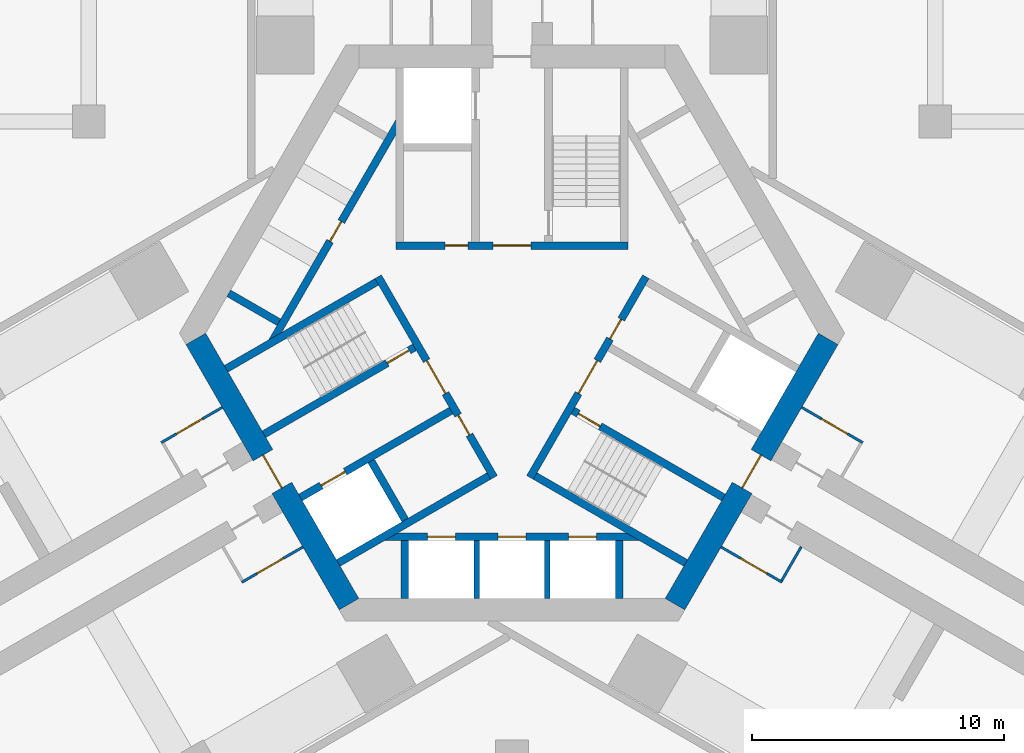
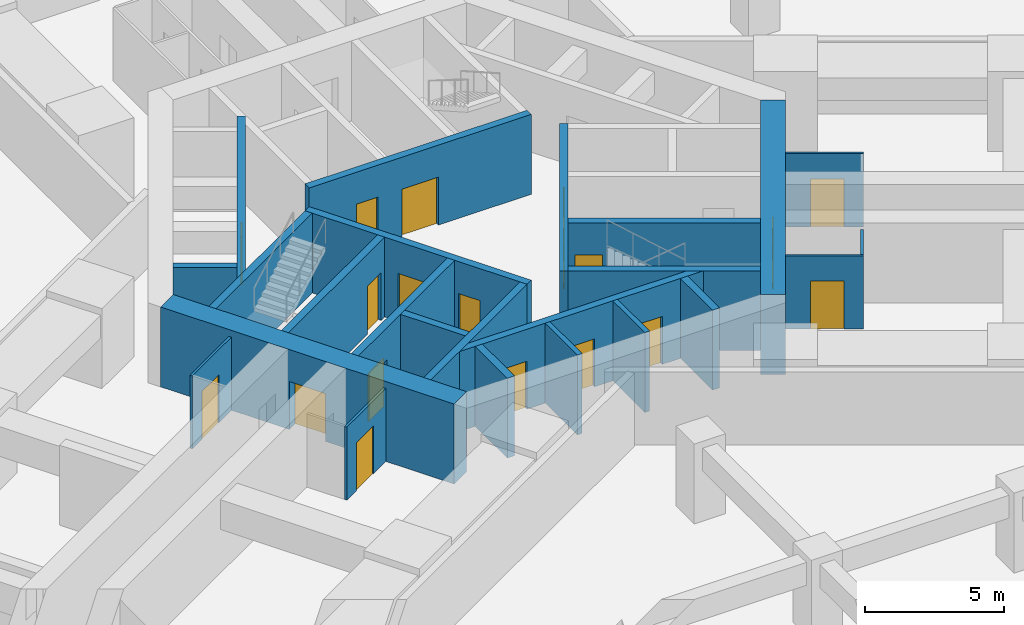
# One storey, part 6 of 11: 24 walls, 19 doors, 19 openings.
"""IFC4 building model written with IfcOpenShell, lengths in metres."""

from ifc_helpers import new_model, si_unit, direction, frame, frame_2d, origin, place, context, subcontext, project, spatial, rectangle, extrude, material, layer, layer_set, type_object, element, fill, save


model = new_model("IFC4")

# Units and contexts
model_context = context("Model", 3, precision=1e-05, world=origin(), true_north=direction((0.0, 1.0)))
body_context = subcontext(model_context, "Body", "Model", "MODEL_VIEW")
ifc_project = project(units=[si_unit("LENGTHUNIT", "METRE"), si_unit("AREAUNIT", "SQUARE_METRE"), si_unit("VOLUMEUNIT", "CUBIC_METRE"), si_unit("PLANEANGLEUNIT", "RADIAN"), si_unit("MASSUNIT", "GRAM", prefix="KILO")], contexts=[model_context])

# Site, building, storey
site_placement = place(None, origin())
site = spatial("IfcSite", under=ifc_project, at=site_placement, CompositionType="ELEMENT")
building_placement = place(site_placement, origin())
building = spatial("IfcBuilding", under=site, at=building_placement, Name="Impinga Residences", CompositionType="ELEMENT")
storey_placement = place(building_placement, frame((0.0, 0.0, -7.0)))
storey = spatial("IfcBuildingStorey", under=building, at=storey_placement, Name="B2", CompositionType="ELEMENT", Elevation=-7.0)

# Wall, opening, door
ifc_material_1 = material(Name="Concrete blockwork", Category="masonry")
ifc_layer_1 = layer(ifc_material_1, 0.10009765625)
ifc_layer_set_1 = layer_set([ifc_layer_1], Name="CP1 core room partition, blockwork 100")
wall_type_1 = type_object("IfcWallType", Name="CP1 core room partition, blockwork 100", PredefinedType="PARTITIONING", material=ifc_layer_set_1)
wall_1_placement = place(storey_placement, frame((-8.300048828125, -8.487060546875, 0.0), z_axis=(0.0, 0.0, 1.0), x_axis=(-0.866034573852, -0.49998411664, 0.0)))
wall_1 = element("IfcWall", 1, at=wall_1_placement, inside=storey, type_object=wall_type_1, Name="Core room partition, blockwork B2-WA1:L1", PredefinedType="PARTITIONING", context=body_context, shape_type="SweptSolid", body=[
    extrude(rectangle(XDim=2.7998046875, YDim=0.10009765625, at=frame_2d((1.39990234375, 0.0))), origin(), (0.0, 0.0, 1.0), 3.199951171875),
])
opening_1_placement = place(wall_1_placement, frame((0.89990234375, 0.0, 0.0)))
opening_1 = element("IfcOpeningElement", 2, at=opening_1_placement, cuts=wall_1, Name="Opening D3", PredefinedType="OPENING", context=body_context, shape_type="SweptSolid", body=[
    extrude(rectangle(XDim=1.199951171875, YDim=2.10009765625, at=frame_2d((0.60009765625, 1.050048828125))), frame((0.0, 0.06005859375, 0.0), z_axis=(0.0, -1.0, 0.0), x_axis=(1.0, 0.0, 0.0)), (0.0, 0.0, 1.0), 0.1201171875),
])
ifc_material_2 = material(Name="Timber door set", Category="wood")
door_type_1 = type_object("IfcDoorType", Name="D3 room door, leaf and a half 1200x2100", OperationType="DOUBLE_SWING_LEFT", PredefinedType="DOOR", material=ifc_material_2)
door_1_placement = place(opening_1_placement, origin())
door_1 = element("IfcDoor", 3, at=door_1_placement, inside=storey, type_object=door_type_1, Name="Storage cages door B2-WA1", OperationType="DOUBLE_SWING_LEFT", OverallHeight=2.10009765625, OverallWidth=1.199951171875, PredefinedType="DOOR", context=body_context, shape_type="SweptSolid", body=[
    extrude(rectangle(XDim=1.199951171875, YDim=2.10009765625, at=frame_2d((0.60009765625, 1.050048828125))), frame((0.0, 0.02490234375, 0.0), z_axis=(0.0, -1.0, 0.0), x_axis=(1.0, 0.0, 0.0)), (0.0, 0.0, 1.0), 0.050048828125),
])
fill(opening_1, door_1)

wall_2_placement = place(storey_placement, frame((-11.5, -2.944580078125, 0.0), z_axis=(0.0, 0.0, 1.0), x_axis=(-0.866034573852, -0.49998411664, 0.0)))
wall_2 = element("IfcWall", 4, at=wall_2_placement, inside=storey, type_object=wall_type_1, Name="Core room partition, blockwork B2-WF1:L1", PredefinedType="PARTITIONING", context=body_context, shape_type="SweptSolid", body=[
    extrude(rectangle(XDim=2.7998046875, YDim=0.10009765625, at=frame_2d((1.39990234375, 0.0))), origin(), (0.0, 0.0, 1.0), 3.199951171875),
])
opening_2_placement = place(wall_2_placement, frame((0.89990234375, 0.0, 0.0)))
opening_2 = element("IfcOpeningElement", 5, at=opening_2_placement, cuts=wall_2, Name="Opening D3", PredefinedType="OPENING", context=body_context, shape_type="SweptSolid", body=[
    extrude(rectangle(XDim=1.199951171875, YDim=2.10009765625, at=frame_2d((0.60009765625, 1.050048828125))), frame((0.0, 0.06005859375, 0.0), z_axis=(0.0, -1.0, 0.0), x_axis=(1.0, 0.0, 0.0)), (0.0, 0.0, 1.0), 0.1201171875),
])
door_2_placement = place(opening_2_placement, origin())
door_2 = element("IfcDoor", 6, at=door_2_placement, inside=storey, type_object=door_type_1, Name="Bicycle store door B2-WF1", OperationType="DOUBLE_SWING_LEFT", OverallHeight=2.10009765625, OverallWidth=1.199951171875, PredefinedType="DOOR", context=body_context, shape_type="SweptSolid", body=[
    extrude(rectangle(XDim=1.199951171875, YDim=2.10009765625, at=frame_2d((0.60009765625, 1.050048828125))), frame((0.0, 0.02490234375, 0.0), z_axis=(0.0, -1.0, 0.0), x_axis=(1.0, 0.0, 0.0)), (0.0, 0.0, 1.0), 0.050048828125),
])
fill(opening_2, door_2)

wall_3_placement = place(storey_placement, frame((11.5, -2.944580078125, 0.0), z_axis=(0.0, 0.0, 1.0), x_axis=(0.866034573852, -0.49998411664, 0.0)))
wall_3 = element("IfcWall", 7, at=wall_3_placement, inside=storey, type_object=wall_type_1, Name="Core room partition, blockwork B2-EA1:L1", PredefinedType="PARTITIONING", context=body_context, shape_type="SweptSolid", body=[
    extrude(rectangle(XDim=2.7998046875, YDim=0.10009765625, at=frame_2d((1.39990234375, 0.0))), origin(), (0.0, 0.0, 1.0), 3.199951171875),
])
opening_3_placement = place(wall_3_placement, frame((0.89990234375, 0.0, 0.0)))
opening_3 = element("IfcOpeningElement", 8, at=opening_3_placement, cuts=wall_3, Name="Opening D3", PredefinedType="OPENING", context=body_context, shape_type="SweptSolid", body=[
    extrude(rectangle(XDim=1.199951171875, YDim=2.10009765625, at=frame_2d((0.60009765625, 1.050048828125))), frame((0.0, 0.06005859375, 0.0), z_axis=(0.0, -1.0, 0.0), x_axis=(1.0, 0.0, 0.0)), (0.0, 0.0, 1.0), 0.1201171875),
])
door_3_placement = place(opening_3_placement, origin())
door_3 = element("IfcDoor", 9, at=door_3_placement, inside=storey, type_object=door_type_1, Name="Motorcycle store door B2-EA1", OperationType="DOUBLE_SWING_LEFT", OverallHeight=2.10009765625, OverallWidth=1.199951171875, PredefinedType="DOOR", context=body_context, shape_type="SweptSolid", body=[
    extrude(rectangle(XDim=1.199951171875, YDim=2.10009765625, at=frame_2d((0.60009765625, 1.050048828125))), frame((0.0, 0.02490234375, 0.0), z_axis=(0.0, -1.0, 0.0), x_axis=(1.0, 0.0, 0.0)), (0.0, 0.0, 1.0), 0.050048828125),
])
fill(opening_3, door_3)

wall_4_placement = place(storey_placement, frame((8.300048828125, -8.487060546875, 0.0), z_axis=(0.0, 0.0, 1.0), x_axis=(0.866034573852, -0.49998411664, 0.0)))
wall_4 = element("IfcWall", 10, at=wall_4_placement, inside=storey, type_object=wall_type_1, Name="Core room partition, blockwork B2-EF1:L1", PredefinedType="PARTITIONING", context=body_context, shape_type="SweptSolid", body=[
    extrude(rectangle(XDim=2.7998046875, YDim=0.10009765625, at=frame_2d((1.39990234375, 0.0))), origin(), (0.0, 0.0, 1.0), 3.199951171875),
])
opening_4_placement = place(wall_4_placement, frame((0.89990234375, 0.0, 0.0)))
opening_4 = element("IfcOpeningElement", 11, at=opening_4_placement, cuts=wall_4, Name="Opening D3", PredefinedType="OPENING", context=body_context, shape_type="SweptSolid", body=[
    extrude(rectangle(XDim=1.199951171875, YDim=2.10009765625, at=frame_2d((0.60009765625, 1.050048828125))), frame((0.0, 0.06005859375, 0.0), z_axis=(0.0, -1.0, 0.0), x_axis=(1.0, 0.0, 0.0)), (0.0, 0.0, 1.0), 0.1201171875),
])
door_4_placement = place(opening_4_placement, origin())
door_4 = element("IfcDoor", 12, at=door_4_placement, inside=storey, type_object=door_type_1, Name="Storage cages door B2-EF1", OperationType="DOUBLE_SWING_LEFT", OverallHeight=2.10009765625, OverallWidth=1.199951171875, PredefinedType="DOOR", context=body_context, shape_type="SweptSolid", body=[
    extrude(rectangle(XDim=1.199951171875, YDim=2.10009765625, at=frame_2d((0.60009765625, 1.050048828125))), frame((0.0, 0.02490234375, 0.0), z_axis=(0.0, -1.0, 0.0), x_axis=(1.0, 0.0, 0.0)), (0.0, 0.0, 1.0), 0.050048828125),
])
fill(opening_4, door_4)

# Wall
wall_5_placement = place(storey_placement, frame((11.481689453125, -8.476318359375, 0.0), z_axis=(0.0, 0.0, 1.0), x_axis=(-0.500017819788, -0.86601511528, 0.0)))
element("IfcWall", 13, at=wall_5_placement, inside=storey, type_object=wall_type_1, Name="Core room partition, blockwork B2-EF1:L2", PredefinedType="PARTITIONING", context=body_context, shape_type="SweptSolid", body=[
    extrude(rectangle(XDim=1.55029296875, YDim=0.10009765625, at=frame_2d((0.775146484375, 0.0))), origin(), (0.0, 0.0, 1.0), 3.199951171875),
])

# Wall, opening, door
ifc_material_3 = material(Name="Concrete C70/85", Category="concrete")
ifc_layer_2 = layer(ifc_material_3, 0.89990234375)
ifc_layer_set_2 = layer_set([ifc_layer_2], Name="Concrete C70/85")
wall_type_2 = type_object("IfcWallType", Name="SW1 core wall 900", PredefinedType="SHEAR", material=ifc_layer_set_2)
wall_6_placement = place(storey_placement, frame((-6.47021484375, -10.756591796875, 0.0), z_axis=(0.0, 0.0, 1.0), x_axis=(-0.499997612506, 0.8660267822, 0.0)))
wall_6 = element("IfcWall", 14, at=wall_6_placement, inside=storey, type_object=wall_type_2, Name="Core wall SW1 W:FACE B2", PredefinedType="SHEAR", context=body_context, shape_type="SweptSolid", body=[
    extrude(rectangle(XDim=12.16064453125, YDim=0.89990234375, at=frame_2d((6.080322265625, 0.0))), origin(), (0.0, 0.0, 1.0), 3.5),
])
opening_5_placement = place(wall_6_placement, frame((5.330322265625, 0.0, 0.0)))
opening_5 = element("IfcOpeningElement", 15, at=opening_5_placement, cuts=wall_6, Name="Opening D4", PredefinedType="OPENING", context=body_context, shape_type="SweptSolid", body=[
    extrude(rectangle(XDim=1.5, YDim=2.10009765625, at=frame_2d((0.75, 1.050048828125))), frame((0.0, 0.4599609375, 0.0), z_axis=(0.0, -1.0, 0.0), x_axis=(1.0, 0.0, 0.0)), (0.0, 0.0, 1.0), 0.919921875),
])
door_type_2 = type_object("IfcDoorType", Name="D4 lobby door pair 1500x2100", OperationType="DOUBLE_DOOR_DOUBLE_SWING", PredefinedType="DOOR", material=ifc_material_2)
door_5_placement = place(opening_5_placement, origin())
door_5 = element("IfcDoor", 16, at=door_5_placement, inside=storey, type_object=door_type_2, Name="Lobby door W", OperationType="DOUBLE_DOOR_DOUBLE_SWING", OverallHeight=2.10009765625, OverallWidth=1.5, PredefinedType="DOOR", context=body_context, shape_type="SweptSolid", body=[
    extrude(rectangle(XDim=1.5, YDim=2.10009765625, at=frame_2d((0.75, 1.050048828125))), frame((0.0, 0.02490234375, 0.0), z_axis=(0.0, -1.0, 0.0), x_axis=(1.0, 0.0, 0.0)), (0.0, 0.0, 1.0), 0.050048828125),
])
fill(opening_5, door_5)

wall_7_placement = place(storey_placement, frame((12.550537109375, -0.22509765625, 0.0), z_axis=(0.0, 0.0, 1.0), x_axis=(-0.499997612506, -0.8660267822, 0.0)))
wall_7 = element("IfcWall", 17, at=wall_7_placement, inside=storey, type_object=wall_type_2, Name="Core wall SW1 E:FACE B2", PredefinedType="SHEAR", context=body_context, shape_type="SweptSolid", body=[
    extrude(rectangle(XDim=12.16064453125, YDim=0.89990234375, at=frame_2d((6.080322265625, 0.0))), origin(), (0.0, 0.0, 1.0), 3.5),
])
opening_6_placement = place(wall_7_placement, frame((5.330322265625, 0.0, 0.0)))
opening_6 = element("IfcOpeningElement", 18, at=opening_6_placement, cuts=wall_7, Name="Opening D4", PredefinedType="OPENING", context=body_context, shape_type="SweptSolid", body=[
    extrude(rectangle(XDim=1.5, YDim=2.10009765625, at=frame_2d((0.75, 1.050048828125))), frame((0.0, 0.4599609375, 0.0), z_axis=(0.0, -1.0, 0.0), x_axis=(1.0, 0.0, 0.0)), (0.0, 0.0, 1.0), 0.919921875),
])
door_6_placement = place(opening_6_placement, origin())
door_6 = element("IfcDoor", 19, at=door_6_placement, inside=storey, type_object=door_type_2, Name="Lobby door E", OperationType="DOUBLE_DOOR_DOUBLE_SWING", OverallHeight=2.10009765625, OverallWidth=1.5, PredefinedType="DOOR", context=body_context, shape_type="SweptSolid", body=[
    extrude(rectangle(XDim=1.5, YDim=2.10009765625, at=frame_2d((0.75, 1.050048828125))), frame((0.0, 0.02490234375, 0.0), z_axis=(0.0, -1.0, 0.0), x_axis=(1.0, 0.0, 0.0)), (0.0, 0.0, 1.0), 0.050048828125),
])
fill(opening_6, door_6)

# Wall, openings, doors
ifc_layer_3 = layer(ifc_material_3, 0.300048828125)
ifc_layer_set_3 = layer_set([ifc_layer_3], Name="Concrete C70/85")
wall_type_3 = type_object("IfcWallType", Name="SW5 core inner wall, stairs, shafts and lobbies 300", PredefinedType="SHEAR", material=ifc_layer_set_3)
wall_8_placement = place(storey_placement, frame((-4.60009765625, 3.47998046875, 0.0), z_axis=(0.0, 0.0, 1.0), x_axis=(1.0, 0.0, 0.0)))
wall_8 = element("IfcWall", 20, at=wall_8_placement, inside=storey, type_object=wall_type_3, Name="Core wall SW5 N:ZONE B2", PredefinedType="SHEAR", context=body_context, shape_type="SweptSolid", body=[
    extrude(rectangle(XDim=9.2001953125, YDim=0.300048828125, at=frame_2d((4.60009765625, 0.0))), origin(), (0.0, 0.0, 1.0), 3.5),
])
opening_7_placement = place(wall_8_placement, frame((3.85009765625, 0.0, 0.0)))
opening_7 = element("IfcOpeningElement", 21, at=opening_7_placement, cuts=wall_8, Name="Opening D4", PredefinedType="OPENING", context=body_context, shape_type="SweptSolid", body=[
    extrude(rectangle(XDim=1.5, YDim=2.10009765625, at=frame_2d((0.75, 1.050048828125))), frame((0.0, 0.159912109375, 0.0), z_axis=(0.0, -1.0, 0.0), x_axis=(1.0, 0.0, 0.0)), (0.0, 0.0, 1.0), 0.320068359375),
])
opening_8_placement = place(wall_8_placement, frame((1.949951171875, 0.0, 0.0)))
opening_8 = element("IfcOpeningElement", 22, at=opening_8_placement, cuts=wall_8, Name="Opening D6", PredefinedType="OPENING", context=body_context, shape_type="SweptSolid", body=[
    extrude(rectangle(XDim=0.89990234375, YDim=2.10009765625, at=frame_2d((0.449951171875, 1.050048828125))), frame((0.0, 0.159912109375, 0.0), z_axis=(0.0, -1.0, 0.0), x_axis=(1.0, 0.0, 0.0)), (0.0, 0.0, 1.0), 0.320068359375),
])
door_7_placement = place(opening_7_placement, origin())
door_7 = element("IfcDoor", 23, at=door_7_placement, inside=storey, type_object=door_type_2, Name="Firefighting lobby door N", OperationType="DOUBLE_DOOR_DOUBLE_SWING", OverallHeight=2.10009765625, OverallWidth=1.5, PredefinedType="DOOR", context=body_context, shape_type="SweptSolid", body=[
    extrude(rectangle(XDim=1.5, YDim=2.10009765625, at=frame_2d((0.75, 1.050048828125))), frame((0.0, 0.02490234375, 0.0), z_axis=(0.0, -1.0, 0.0), x_axis=(1.0, 0.0, 0.0)), (0.0, 0.0, 1.0), 0.050048828125),
])
fill(opening_7, door_7)
door_type_3 = type_object("IfcDoorType", Name="D6 riser and store door 900x2100", OperationType="SINGLE_SWING_LEFT", PredefinedType="DOOR", material=ifc_material_2)
door_8_placement = place(opening_8_placement, origin())
door_8 = element("IfcDoor", 24, at=door_8_placement, inside=storey, type_object=door_type_3, Name="Riser door N", OperationType="SINGLE_SWING_LEFT", OverallHeight=2.10009765625, OverallWidth=0.89990234375, PredefinedType="DOOR", context=body_context, shape_type="SweptSolid", body=[
    extrude(rectangle(XDim=0.89990234375, YDim=2.10009765625, at=frame_2d((0.449951171875, 1.050048828125))), frame((0.0, 0.02490234375, 0.0), z_axis=(0.0, -1.0, 0.0), x_axis=(1.0, 0.0, 0.0)), (0.0, 0.0, 1.0), 0.050048828125),
])
fill(opening_8, door_8)

wall_9_placement = place(storey_placement, frame((-0.7138671875, -5.7236328125, 0.0), z_axis=(0.0, 0.0, 1.0), x_axis=(-0.499995050369, 0.866028261437, 0.0)))
wall_9 = element("IfcWall", 25, at=wall_9_placement, inside=storey, type_object=wall_type_3, Name="Core wall SW5 W:ZONE B2", PredefinedType="SHEAR", context=body_context, shape_type="SweptSolid", body=[
    extrude(rectangle(XDim=9.19970703125, YDim=0.300048828125, at=frame_2d((4.599853515625, 0.0))), origin(), (0.0, 0.0, 1.0), 3.5),
])
opening_9_placement = place(wall_9_placement, frame((3.85009765625, 0.0, 0.0)))
opening_9 = element("IfcOpeningElement", 26, at=opening_9_placement, cuts=wall_9, Name="Opening D4", PredefinedType="OPENING", context=body_context, shape_type="SweptSolid", body=[
    extrude(rectangle(XDim=1.5, YDim=2.10009765625, at=frame_2d((0.75, 1.050048828125))), frame((0.0, 0.159912109375, 0.0), z_axis=(0.0, -1.0, 0.0), x_axis=(1.0, 0.0, 0.0)), (0.0, 0.0, 1.0), 0.320068359375),
])
opening_10_placement = place(wall_9_placement, frame((1.949951171875, 0.0, 0.0)))
opening_10 = element("IfcOpeningElement", 27, at=opening_10_placement, cuts=wall_9, Name="Opening D6", PredefinedType="OPENING", context=body_context, shape_type="SweptSolid", body=[
    extrude(rectangle(XDim=0.89990234375, YDim=2.10009765625, at=frame_2d((0.449951171875, 1.050048828125))), frame((0.0, 0.159912109375, 0.0), z_axis=(0.0, -1.0, 0.0), x_axis=(1.0, 0.0, 0.0)), (0.0, 0.0, 1.0), 0.320068359375),
])
door_9_placement = place(opening_9_placement, origin())
door_9 = element("IfcDoor", 28, at=door_9_placement, inside=storey, type_object=door_type_2, Name="Firefighting lobby door W", OperationType="DOUBLE_DOOR_DOUBLE_SWING", OverallHeight=2.10009765625, OverallWidth=1.5, PredefinedType="DOOR", context=body_context, shape_type="SweptSolid", body=[
    extrude(rectangle(XDim=1.5, YDim=2.10009765625, at=frame_2d((0.75, 1.050048828125))), frame((0.0, 0.02490234375, 0.0), z_axis=(0.0, -1.0, 0.0), x_axis=(1.0, 0.0, 0.0)), (0.0, 0.0, 1.0), 0.050048828125),
])
fill(opening_9, door_9)
door_10_placement = place(opening_10_placement, origin())
door_10 = element("IfcDoor", 29, at=door_10_placement, inside=storey, type_object=door_type_3, Name="Riser door W", OperationType="SINGLE_SWING_LEFT", OverallHeight=2.10009765625, OverallWidth=0.89990234375, PredefinedType="DOOR", context=body_context, shape_type="SweptSolid", body=[
    extrude(rectangle(XDim=0.89990234375, YDim=2.10009765625, at=frame_2d((0.449951171875, 1.050048828125))), frame((0.0, 0.02490234375, 0.0), z_axis=(0.0, -1.0, 0.0), x_axis=(1.0, 0.0, 0.0)), (0.0, 0.0, 1.0), 0.050048828125),
])
fill(opening_10, door_10)

# Wall, opening, door
wall_10_placement = place(storey_placement, frame((-3.86865234375, -0.559326171875, 0.0), z_axis=(0.0, 0.0, 1.0), x_axis=(-0.86602711848, -0.499997030048, 0.0)))
wall_10 = element("IfcWall", 30, at=wall_10_placement, inside=storey, type_object=wall_type_3, Name="Core wall SW5 W:ST-IN B2", PredefinedType="SHEAR", context=body_context, shape_type="SweptSolid", body=[
    extrude(rectangle(XDim=6.9013671875, YDim=0.300048828125, at=frame_2d((3.45068359375, 0.0))), origin(), (0.0, 0.0, 1.0), 3.5),
])
opening_11_placement = place(wall_10_placement, frame((0.25, 0.0, 0.0)))
opening_11 = element("IfcOpeningElement", 31, at=opening_11_placement, cuts=wall_10, Name="Opening D5", PredefinedType="OPENING", context=body_context, shape_type="SweptSolid", body=[
    extrude(rectangle(XDim=1.0, YDim=2.10009765625, at=frame_2d((0.5, 1.050048828125))), frame((0.0, 0.159912109375, 0.0), z_axis=(0.0, -1.0, 0.0), x_axis=(1.0, 0.0, 0.0)), (0.0, 0.0, 1.0), 0.320068359375),
])
door_type_4 = type_object("IfcDoorType", Name="D5 stair door 1000x2100", OperationType="SINGLE_SWING_LEFT", PredefinedType="DOOR", material=ifc_material_2)
door_11_placement = place(opening_11_placement, origin())
door_11 = element("IfcDoor", 32, at=door_11_placement, inside=storey, type_object=door_type_4, Name="Stair door W", OperationType="SINGLE_SWING_LEFT", OverallHeight=2.10009765625, OverallWidth=1.0, PredefinedType="DOOR", context=body_context, shape_type="SweptSolid", body=[
    extrude(rectangle(XDim=1.0, YDim=2.10009765625, at=frame_2d((0.5, 1.050048828125))), frame((0.0, 0.02490234375, 0.0), z_axis=(0.0, -1.0, 0.0), x_axis=(1.0, 0.0, 0.0)), (0.0, 0.0, 1.0), 0.050048828125),
])
fill(opening_11, door_11)

# Wall
wall_11_placement = place(storey_placement, frame((-5.36865234375, 2.038818359375, 0.0), z_axis=(0.0, 0.0, 1.0), x_axis=(-0.86602711848, -0.499997030048, 0.0)))
element("IfcWall", 33, at=wall_11_placement, inside=storey, type_object=wall_type_3, Name="Core wall SW5 W:ST-OUT B2", PredefinedType="SHEAR", context=body_context, shape_type="SweptSolid", body=[
    extrude(rectangle(XDim=6.9013671875, YDim=0.300048828125, at=frame_2d((3.45068359375, 0.0))), origin(), (0.0, 0.0, 1.0), 3.5),
])

# Wall, opening, door
wall_12_placement = place(storey_placement, frame((-2.418701171875, -3.07080078125, 0.0), z_axis=(0.0, 0.0, 1.0), x_axis=(-0.86602711848, -0.499997030048, 0.0)))
wall_12 = element("IfcWall", 34, at=wall_12_placement, inside=storey, type_object=wall_type_3, Name="Core wall SW5 W:FF-IN B2", PredefinedType="SHEAR", context=body_context, shape_type="SweptSolid", body=[
    extrude(rectangle(XDim=6.9013671875, YDim=0.300048828125, at=frame_2d((3.45068359375, 0.0))), origin(), (0.0, 0.0, 1.0), 3.5),
])
opening_12_placement = place(wall_12_placement, frame((4.85009765625, 0.0, 0.0)))
opening_12 = element("IfcOpeningElement", 35, at=opening_12_placement, cuts=wall_12, Name="Opening LD2", PredefinedType="OPENING", context=body_context, shape_type="SweptSolid", body=[
    extrude(rectangle(XDim=1.10009765625, YDim=2.10009765625, at=frame_2d((0.550048828125, 1.050048828125))), frame((0.0, 0.159912109375, 0.0), z_axis=(0.0, -1.0, 0.0), x_axis=(1.0, 0.0, 0.0)), (0.0, 0.0, 1.0), 0.320068359375),
])
ifc_material_4 = material(Name="Steel lift landing door", Category="steel")
door_type_5 = type_object("IfcDoorType", Name="LD2 firefighting lift landing door 1100x2100", OperationType="DOUBLE_DOOR_SLIDING", PredefinedType="DOOR", material=ifc_material_4)
door_12_placement = place(opening_12_placement, origin())
door_12 = element("IfcDoor", 36, at=door_12_placement, inside=storey, type_object=door_type_5, Name="Firefighting lift landing door F2", OperationType="DOUBLE_DOOR_SLIDING", OverallHeight=2.10009765625, OverallWidth=1.10009765625, PredefinedType="DOOR", context=body_context, shape_type="SweptSolid", body=[
    extrude(rectangle(XDim=1.10009765625, YDim=2.10009765625, at=frame_2d((0.550048828125, 1.050048828125))), frame((0.0, 0.02490234375, 0.0), z_axis=(0.0, -1.0, 0.0), x_axis=(1.0, 0.0, 0.0)), (0.0, 0.0, 1.0), 0.050048828125),
])
fill(opening_12, door_12)

# Walls
wall_13_placement = place(storey_placement, frame((-0.918701171875, -5.668701171875, 0.0), z_axis=(0.0, 0.0, 1.0), x_axis=(-0.866011800373, -0.500023561059, 0.0)))
element("IfcWall", 37, at=wall_13_placement, inside=storey, type_object=wall_type_3, Name="Core wall SW5 W:FF-OUT B2", PredefinedType="SHEAR", context=body_context, shape_type="SweptSolid", body=[
    extrude(rectangle(XDim=6.901611328125, YDim=0.300048828125, at=frame_2d((3.45068359375, 0.0))), origin(), (0.0, 0.0, 1.0), 3.5),
])
wall_14_placement = place(storey_placement, frame((-4.2412109375, -7.413818359375, 0.0), z_axis=(0.0, 0.0, 1.0), x_axis=(-0.500048589285, 0.86599734893, 0.0)))
element("IfcWall", 38, at=wall_14_placement, inside=storey, type_object=wall_type_3, Name="Core wall SW5 W:FF-RS B2", PredefinedType="SHEAR", context=body_context, shape_type="SweptSolid", body=[
    extrude(rectangle(XDim=2.699951171875, YDim=0.300048828125, at=frame_2d((1.35009765625, 0.0))), origin(), (0.0, 0.0, 1.0), 3.5),
])

# Wall, openings, doors
wall_15_placement = place(storey_placement, frame((5.313720703125, 2.24365234375, 0.0), z_axis=(0.0, 0.0, 1.0), x_axis=(-0.499995050369, -0.866028261437, 0.0)))
wall_15 = element("IfcWall", 39, at=wall_15_placement, inside=storey, type_object=wall_type_3, Name="Core wall SW5 E:ZONE B2", PredefinedType="SHEAR", context=body_context, shape_type="SweptSolid", body=[
    extrude(rectangle(XDim=9.19970703125, YDim=0.300048828125, at=frame_2d((4.599853515625, 0.0))), origin(), (0.0, 0.0, 1.0), 3.5),
])
opening_13_placement = place(wall_15_placement, frame((3.85009765625, 0.0, 0.0)))
opening_13 = element("IfcOpeningElement", 40, at=opening_13_placement, cuts=wall_15, Name="Opening D4", PredefinedType="OPENING", context=body_context, shape_type="SweptSolid", body=[
    extrude(rectangle(XDim=1.5, YDim=2.10009765625, at=frame_2d((0.75, 1.050048828125))), frame((0.0, 0.159912109375, 0.0), z_axis=(0.0, -1.0, 0.0), x_axis=(1.0, 0.0, 0.0)), (0.0, 0.0, 1.0), 0.320068359375),
])
opening_14_placement = place(wall_15_placement, frame((1.949951171875, 0.0, 0.0)))
opening_14 = element("IfcOpeningElement", 41, at=opening_14_placement, cuts=wall_15, Name="Opening D6", PredefinedType="OPENING", context=body_context, shape_type="SweptSolid", body=[
    extrude(rectangle(XDim=0.89990234375, YDim=2.10009765625, at=frame_2d((0.449951171875, 1.050048828125))), frame((0.0, 0.159912109375, 0.0), z_axis=(0.0, -1.0, 0.0), x_axis=(1.0, 0.0, 0.0)), (0.0, 0.0, 1.0), 0.320068359375),
])
door_13_placement = place(opening_13_placement, origin())
door_13 = element("IfcDoor", 42, at=door_13_placement, inside=storey, type_object=door_type_2, Name="Firefighting lobby door E", OperationType="DOUBLE_DOOR_DOUBLE_SWING", OverallHeight=2.10009765625, OverallWidth=1.5, PredefinedType="DOOR", context=body_context, shape_type="SweptSolid", body=[
    extrude(rectangle(XDim=1.5, YDim=2.10009765625, at=frame_2d((0.75, 1.050048828125))), frame((0.0, 0.02490234375, 0.0), z_axis=(0.0, -1.0, 0.0), x_axis=(1.0, 0.0, 0.0)), (0.0, 0.0, 1.0), 0.050048828125),
])
fill(opening_13, door_13)
door_14_placement = place(opening_14_placement, origin())
door_14 = element("IfcDoor", 43, at=door_14_placement, inside=storey, type_object=door_type_3, Name="Riser door E", OperationType="SINGLE_SWING_LEFT", OverallHeight=2.10009765625, OverallWidth=0.89990234375, PredefinedType="DOOR", context=body_context, shape_type="SweptSolid", body=[
    extrude(rectangle(XDim=0.89990234375, YDim=2.10009765625, at=frame_2d((0.449951171875, 1.050048828125))), frame((0.0, 0.02490234375, 0.0), z_axis=(0.0, -1.0, 0.0), x_axis=(1.0, 0.0, 0.0)), (0.0, 0.0, 1.0), 0.050048828125),
])
fill(opening_14, door_14)

# Wall, opening, door
wall_16_placement = place(storey_placement, frame((2.418701171875, -3.07080078125, 0.0), z_axis=(0.0, 0.0, 1.0), x_axis=(0.86602711848, -0.499997030048, 0.0)))
wall_16 = element("IfcWall", 44, at=wall_16_placement, inside=storey, type_object=wall_type_3, Name="Core wall SW5 E:ST-IN B2", PredefinedType="SHEAR", context=body_context, shape_type="SweptSolid", body=[
    extrude(rectangle(XDim=6.9013671875, YDim=0.300048828125, at=frame_2d((3.45068359375, 0.0))), origin(), (0.0, 0.0, 1.0), 3.5),
])
opening_15_placement = place(wall_16_placement, frame((0.25, 0.0, 0.0)))
opening_15 = element("IfcOpeningElement", 45, at=opening_15_placement, cuts=wall_16, Name="Opening D5", PredefinedType="OPENING", context=body_context, shape_type="SweptSolid", body=[
    extrude(rectangle(XDim=1.0, YDim=2.10009765625, at=frame_2d((0.5, 1.050048828125))), frame((0.0, 0.159912109375, 0.0), z_axis=(0.0, -1.0, 0.0), x_axis=(1.0, 0.0, 0.0)), (0.0, 0.0, 1.0), 0.320068359375),
])
door_15_placement = place(opening_15_placement, origin())
door_15 = element("IfcDoor", 46, at=door_15_placement, inside=storey, type_object=door_type_4, Name="Stair door E", OperationType="SINGLE_SWING_LEFT", OverallHeight=2.10009765625, OverallWidth=1.0, PredefinedType="DOOR", context=body_context, shape_type="SweptSolid", body=[
    extrude(rectangle(XDim=1.0, YDim=2.10009765625, at=frame_2d((0.5, 1.050048828125))), frame((0.0, 0.02490234375, 0.0), z_axis=(0.0, -1.0, 0.0), x_axis=(1.0, 0.0, 0.0)), (0.0, 0.0, 1.0), 0.050048828125),
])
fill(opening_15, door_15)

# Wall
wall_17_placement = place(storey_placement, frame((0.918701171875, -5.668701171875, 0.0), z_axis=(0.0, 0.0, 1.0), x_axis=(0.866011800373, -0.500023561059, 0.0)))
element("IfcWall", 47, at=wall_17_placement, inside=storey, type_object=wall_type_3, Name="Core wall SW5 E:ST-OUT B2", PredefinedType="SHEAR", context=body_context, shape_type="SweptSolid", body=[
    extrude(rectangle(XDim=6.901611328125, YDim=0.300048828125, at=frame_2d((3.45068359375, 0.0))), origin(), (0.0, 0.0, 1.0), 3.5),
])

# Wall, openings, doors
wall_18_placement = place(storey_placement, frame((5.09765625, -8.08154296875, 0.0), z_axis=(0.0, 0.0, 1.0), x_axis=(-1.0, 0.0, 0.0)))
wall_18 = element("IfcWall", 48, at=wall_18_placement, inside=storey, type_object=wall_type_3, Name="Core wall SW5 N:BANK-FRONT B2", PredefinedType="SHEAR", context=body_context, shape_type="SweptSolid", body=[
    extrude(rectangle(XDim=10.1953125, YDim=0.300048828125, at=frame_2d((5.09765625, 0.0))), origin(), (0.0, 0.0, 1.0), 3.5),
])
opening_16_placement = place(wall_18_placement, frame((1.74755859375, 0.0, 0.0)))
opening_16 = element("IfcOpeningElement", 49, at=opening_16_placement, cuts=wall_18, Name="Opening LD1", PredefinedType="OPENING", context=body_context, shape_type="SweptSolid", body=[
    extrude(rectangle(XDim=1.10009765625, YDim=2.10009765625, at=frame_2d((0.550048828125, 1.050048828125))), frame((0.0, 0.159912109375, 0.0), z_axis=(0.0, -1.0, 0.0), x_axis=(1.0, 0.0, 0.0)), (0.0, 0.0, 1.0), 0.320068359375),
])
opening_17_placement = place(wall_18_placement, frame((4.547607421875, 0.0, 0.0)))
opening_17 = element("IfcOpeningElement", 50, at=opening_17_placement, cuts=wall_18, Name="Opening LD1", PredefinedType="OPENING", context=body_context, shape_type="SweptSolid", body=[
    extrude(rectangle(XDim=1.10009765625, YDim=2.10009765625, at=frame_2d((0.550048828125, 1.050048828125))), frame((0.0, 0.159912109375, 0.0), z_axis=(0.0, -1.0, 0.0), x_axis=(1.0, 0.0, 0.0)), (0.0, 0.0, 1.0), 0.320068359375),
])
opening_18_placement = place(wall_18_placement, frame((7.34765625, 0.0, 0.0)))
opening_18 = element("IfcOpeningElement", 51, at=opening_18_placement, cuts=wall_18, Name="Opening LD1", PredefinedType="OPENING", context=body_context, shape_type="SweptSolid", body=[
    extrude(rectangle(XDim=1.10009765625, YDim=2.10009765625, at=frame_2d((0.550048828125, 1.050048828125))), frame((0.0, 0.159912109375, 0.0), z_axis=(0.0, -1.0, 0.0), x_axis=(1.0, 0.0, 0.0)), (0.0, 0.0, 1.0), 0.320068359375),
])
door_type_6 = type_object("IfcDoorType", Name="LD1 passenger lift landing door 1100x2100", OperationType="DOUBLE_DOOR_SLIDING", PredefinedType="DOOR", material=ifc_material_4)
door_16_placement = place(opening_16_placement, origin())
door_16 = element("IfcDoor", 52, at=door_16_placement, inside=storey, type_object=door_type_6, Name="Lift landing door P1", OperationType="DOUBLE_DOOR_SLIDING", OverallHeight=2.10009765625, OverallWidth=1.10009765625, PredefinedType="DOOR", context=body_context, shape_type="SweptSolid", body=[
    extrude(rectangle(XDim=1.10009765625, YDim=2.10009765625, at=frame_2d((0.550048828125, 1.050048828125))), frame((0.0, 0.02490234375, 0.0), z_axis=(0.0, -1.0, 0.0), x_axis=(1.0, 0.0, 0.0)), (0.0, 0.0, 1.0), 0.050048828125),
])
fill(opening_16, door_16)
door_17_placement = place(opening_17_placement, origin())
door_17 = element("IfcDoor", 53, at=door_17_placement, inside=storey, type_object=door_type_6, Name="Lift landing door P2", OperationType="DOUBLE_DOOR_SLIDING", OverallHeight=2.10009765625, OverallWidth=1.10009765625, PredefinedType="DOOR", context=body_context, shape_type="SweptSolid", body=[
    extrude(rectangle(XDim=1.10009765625, YDim=2.10009765625, at=frame_2d((0.550048828125, 1.050048828125))), frame((0.0, 0.02490234375, 0.0), z_axis=(0.0, -1.0, 0.0), x_axis=(1.0, 0.0, 0.0)), (0.0, 0.0, 1.0), 0.050048828125),
])
fill(opening_17, door_17)
door_18_placement = place(opening_18_placement, origin())
door_18 = element("IfcDoor", 54, at=door_18_placement, inside=storey, type_object=door_type_6, Name="Lift landing door P3", OperationType="DOUBLE_DOOR_SLIDING", OverallHeight=2.10009765625, OverallWidth=1.10009765625, PredefinedType="DOOR", context=body_context, shape_type="SweptSolid", body=[
    extrude(rectangle(XDim=1.10009765625, YDim=2.10009765625, at=frame_2d((0.550048828125, 1.050048828125))), frame((0.0, 0.02490234375, 0.0), z_axis=(0.0, -1.0, 0.0), x_axis=(1.0, 0.0, 0.0)), (0.0, 0.0, 1.0), 0.050048828125),
])
fill(opening_18, door_18)

# Walls
for number, where, z_axis, x_axis, name in (
    (55, (4.25, -8.2314453125, 0.0), (0.0, 0.0, 1.0), (0.0, -1.0, 0.0), "Core wall SW5 N:BANK-L B2"),
    (56, (-4.25, -8.2314453125, 0.0), (0.0, 0.0, 1.0), (0.0, -1.0, 0.0), "Core wall SW5 N:BANK-R B2"),
):
    element("IfcWall", number, at=place(storey_placement, frame(where, z_axis=z_axis, x_axis=x_axis)), inside=storey, type_object=wall_type_3, Name=name, PredefinedType="SHEAR", context=body_context, shape_type="SweptSolid", body=[
        extrude(rectangle(XDim=2.300048828125, YDim=0.300048828125, at=frame_2d((1.14990234375, 0.0))), origin(), (0.0, 0.0, 1.0), 3.5),
    ])

# Wall, opening, door
wall_19_placement = place(storey_placement, frame((-9.547607421875, -0.3740234375, 0.0), z_axis=(0.0, 0.0, 1.0), x_axis=(0.500002290144, 0.866024081565, 0.0)))
wall_19 = element("IfcWall", 57, at=wall_19_placement, inside=storey, type_object=wall_type_3, Name="Core wall SW5 E:BANK-FRONT B2", PredefinedType="SHEAR", context=body_context, shape_type="SweptSolid", body=[
    extrude(rectangle(XDim=10.1953125, YDim=0.300048828125, at=frame_2d((5.09765625, 0.0))), origin(), (0.0, 0.0, 1.0), 3.5),
])
opening_19_placement = place(wall_19_placement, frame((4.647705078125, 0.0, 0.0)))
opening_19 = element("IfcOpeningElement", 58, at=opening_19_placement, cuts=wall_19, Name="Opening D6", PredefinedType="OPENING", context=body_context, shape_type="SweptSolid", body=[
    extrude(rectangle(XDim=0.89990234375, YDim=2.10009765625, at=frame_2d((0.449951171875, 1.050048828125))), frame((0.0, 0.159912109375, 0.0), z_axis=(0.0, -1.0, 0.0), x_axis=(1.0, 0.0, 0.0)), (0.0, 0.0, 1.0), 0.320068359375),
])
door_19_placement = place(opening_19_placement, origin())
door_19 = element("IfcDoor", 59, at=door_19_placement, inside=storey, type_object=door_type_3, Name="Store door", OperationType="SINGLE_SWING_LEFT", OverallHeight=2.10009765625, OverallWidth=0.89990234375, PredefinedType="DOOR", context=body_context, shape_type="SweptSolid", body=[
    extrude(rectangle(XDim=0.89990234375, YDim=2.10009765625, at=frame_2d((0.449951171875, 1.050048828125))), frame((0.0, 0.02490234375, 0.0), z_axis=(0.0, -1.0, 0.0), x_axis=(1.0, 0.0, 0.0)), (0.0, 0.0, 1.0), 0.050048828125),
])
fill(opening_19, door_19)

# Walls
wall_20_placement = place(storey_placement, frame((-9.253662109375, 0.43505859375, 0.0), z_axis=(0.0, 0.0, 1.0), x_axis=(-0.866007057882, 0.500031774688, 0.0)))
element("IfcWall", 60, at=wall_20_placement, inside=storey, type_object=wall_type_3, Name="Core wall SW5 E:BANK-L B2", PredefinedType="SHEAR", context=body_context, shape_type="SweptSolid", body=[
    extrude(rectangle(XDim=2.300048828125, YDim=0.300048828125, at=frame_2d((1.14990234375, 0.0))), origin(), (0.0, 0.0, 1.0), 3.5),
])
ifc_layer_4 = layer(ifc_material_3, 0.199951171875)
ifc_layer_set_4 = layer_set([ifc_layer_4], Name="Concrete C70/85")
wall_type_4 = type_object("IfcWallType", Name="SW6 lift shaft divider wall 200", PredefinedType="SHEAR", material=ifc_layer_set_4)
for number, where, z_axis, x_axis, name in (
    (61, (1.39990234375, -8.2314453125, 0.0), (0.0, 0.0, 1.0), (0.0, -1.0, 0.0), "Core wall SW6 N:BANK-D1 B2"),
    (62, (-1.39990234375, -8.2314453125, 0.0), (0.0, 0.0, 1.0), (0.0, -1.0, 0.0), "Core wall SW6 N:BANK-D2 B2"),
):
    element("IfcWall", number, at=place(storey_placement, frame(where, z_axis=z_axis, x_axis=x_axis)), inside=storey, type_object=wall_type_4, Name=name, PredefinedType="SHEAR", context=body_context, shape_type="SweptSolid", body=[
        extrude(rectangle(XDim=2.300048828125, YDim=0.199951171875, at=frame_2d((1.14990234375, 0.0))), origin(), (0.0, 0.0, 1.0), 3.5),
    ])

save(model, "model.ifc")
